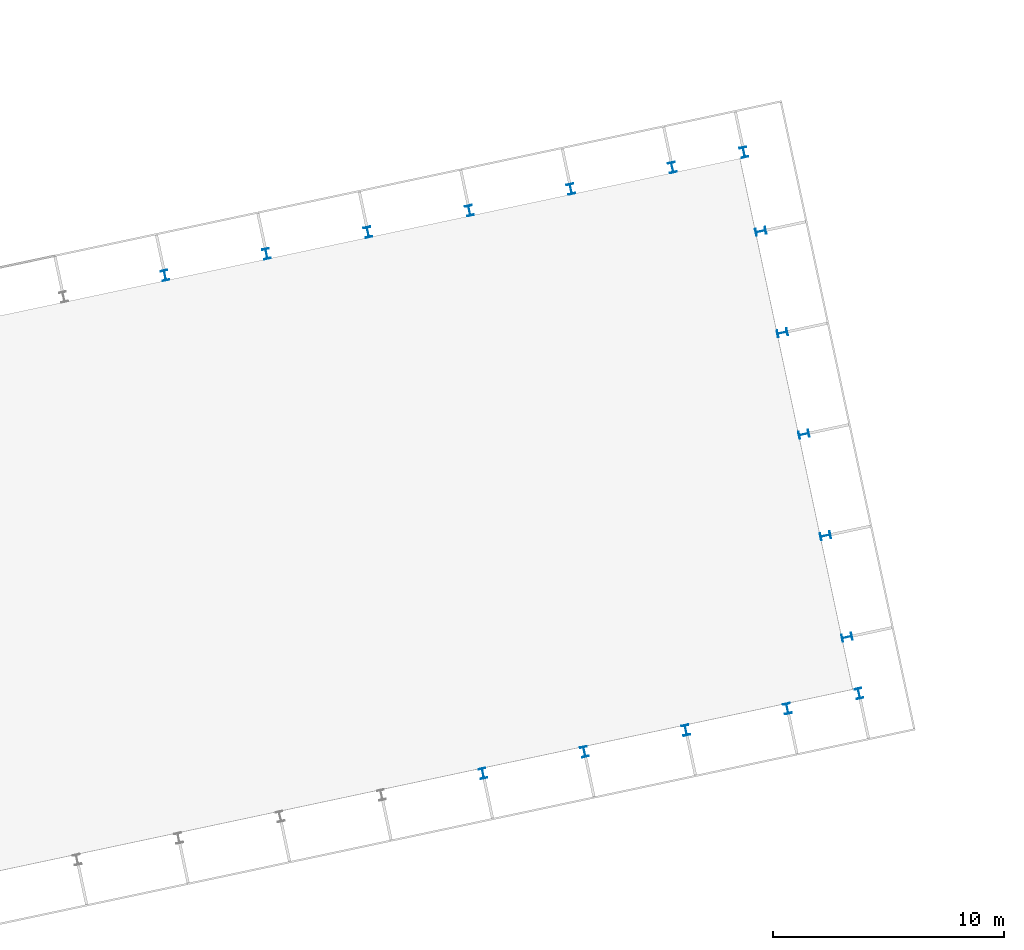
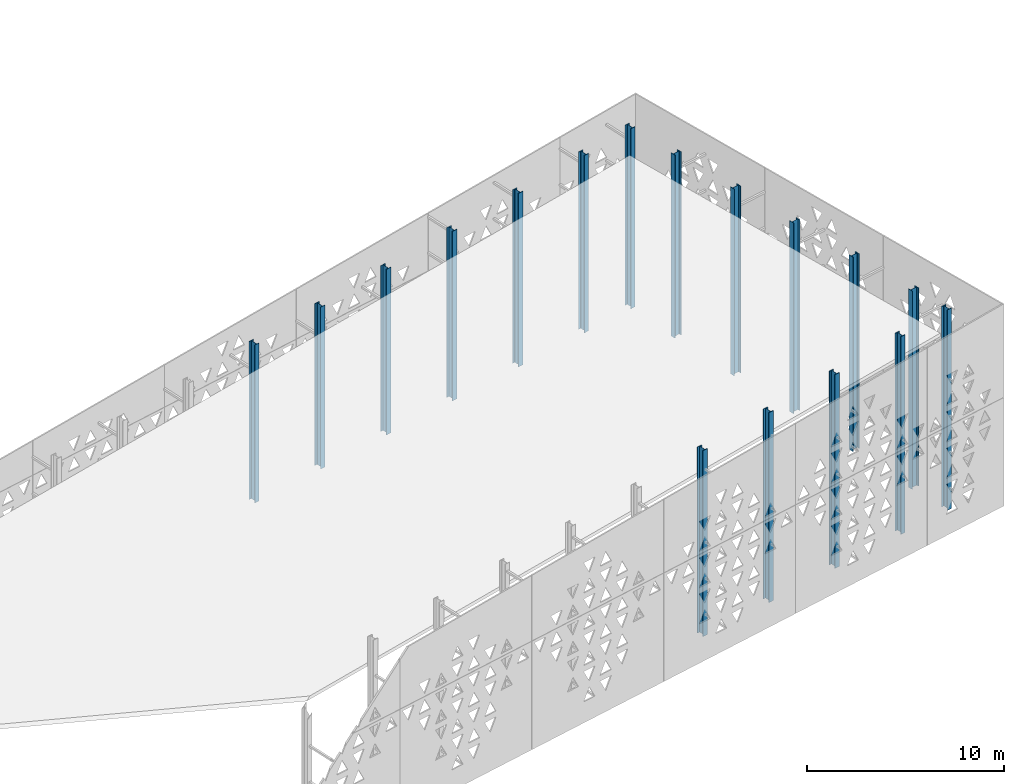
# One storey, part 8 of 41: 17 columns.
"""IFC4 building model written with IfcOpenShell, lengths in metres."""

from ifc_helpers import new_model, si_unit, direction, frame, origin, origin_2d, place, context, subcontext, project, spatial, i_section, extrude, material, material_profile, profile_set, type_object, element, save


model = new_model("IFC4")

# Units and contexts
model_context = context("Model", 3, precision=1e-05, world=origin(), true_north=direction((0.0, 1.0)))
body_context = subcontext(model_context, "Body", "Model", "MODEL_VIEW")
ifc_project = project(units=[si_unit("LENGTHUNIT", "METRE"), si_unit("AREAUNIT", "SQUARE_METRE"), si_unit("VOLUMEUNIT", "CUBIC_METRE"), si_unit("PLANEANGLEUNIT", "RADIAN"), si_unit("MASSUNIT", "GRAM", prefix="KILO")], contexts=[model_context])

# Site, building, storey
site_placement = place(None, origin())
site = spatial("IfcSite", under=ifc_project, at=site_placement, CompositionType="ELEMENT")
building_placement = place(site_placement, origin())
building = spatial("IfcBuilding", under=site, at=building_placement, Name="Okhra Congress Centre", CompositionType="ELEMENT")
storey_placement = place(building_placement, frame((0.0, 0.0, 21.60009765625)))
storey = spatial("IfcBuildingStorey", under=building, at=storey_placement, Name="ROOF", CompositionType="ELEMENT", Elevation=21.60009765625)

# Columns
ifc_material = material(Name="Steel S355J2", Category="steel")
ifc_material_profile = material_profile(ifc_material, i_section(OverallWidth=0.300048828125, OverallDepth=0.449951171875, WebThickness=0.013916015625, FlangeThickness=0.02587890625, FilletRadius=0.027099609375, at=origin_2d()), Name="HE 450 B")
ifc_profile_set = profile_set([ifc_material_profile], Name="Steel S355J2")
column_type = type_object("IfcColumnType", Name="Steel post HE 450 B", PredefinedType="COLUMN", material=ifc_profile_set)
column_1_placement = place(storey_placement, frame((201.8642578125, 56.74853515625, 0.0), z_axis=(0.0, 0.0, 1.0), x_axis=(0.978147600734, 0.207911690818, 0.0)))
element("IfcColumn", 1, at=column_1_placement, inside=storey, type_object=column_type, Name="Screen upstand post S33", PredefinedType="COLUMN", context=body_context, shape_type="SweptSolid", body=[
    extrude(i_section(OverallWidth=0.300048828125, OverallDepth=0.449951171875, WebThickness=0.013916015625, FlangeThickness=0.02587890625, FilletRadius=0.027099609375, at=origin_2d()), origin(), (0.0, 0.0, 1.0), 11.524658203125),
])
column_2_placement = place(storey_placement, frame((206.265869140625, 57.68408203125, 0.0), z_axis=(0.0, 0.0, 1.0), x_axis=(0.978147600734, 0.207911690818, 0.0)))
element("IfcColumn", 2, at=column_2_placement, inside=storey, type_object=column_type, Name="Screen upstand post S34", PredefinedType="COLUMN", context=body_context, shape_type="SweptSolid", body=[
    extrude(i_section(OverallWidth=0.300048828125, OverallDepth=0.449951171875, WebThickness=0.013916015625, FlangeThickness=0.02587890625, FilletRadius=0.027099609375, at=origin_2d()), origin(), (0.0, 0.0, 1.0), 11.765380859375),
])
column_3_placement = place(storey_placement, frame((210.66748046875, 58.61962890625, 0.0), z_axis=(0.0, 0.0, 1.0), x_axis=(0.978147600734, 0.207911690818, 0.0)))
element("IfcColumn", 3, at=column_3_placement, inside=storey, type_object=column_type, Name="Screen upstand post S35", PredefinedType="COLUMN", context=body_context, shape_type="SweptSolid", body=[
    extrude(i_section(OverallWidth=0.300048828125, OverallDepth=0.449951171875, WebThickness=0.013916015625, FlangeThickness=0.02587890625, FilletRadius=0.027099609375, at=origin_2d()), origin(), (0.0, 0.0, 1.0), 12.006103515625),
])
column_4_placement = place(storey_placement, frame((215.0693359375, 59.555419921875, 0.0), z_axis=(0.0, 0.0, 1.0), x_axis=(0.978147600734, 0.207911690818, 0.0)))
element("IfcColumn", 4, at=column_4_placement, inside=storey, type_object=column_type, Name="Screen upstand post S36", PredefinedType="COLUMN", context=body_context, shape_type="SweptSolid", body=[
    extrude(i_section(OverallWidth=0.300048828125, OverallDepth=0.449951171875, WebThickness=0.013916015625, FlangeThickness=0.02587890625, FilletRadius=0.027099609375, at=origin_2d()), origin(), (0.0, 0.0, 1.0), 12.246826171875),
])
column_5_placement = place(storey_placement, frame((218.1748046875, 60.21533203125, 0.0), z_axis=(0.0, 0.0, 1.0), x_axis=(0.978147600734, 0.207911690818, 0.0)))
element("IfcColumn", 5, at=column_5_placement, inside=storey, type_object=column_type, Name="Screen upstand post S37", PredefinedType="COLUMN", context=body_context, shape_type="SweptSolid", body=[
    extrude(i_section(OverallWidth=0.300048828125, OverallDepth=0.449951171875, WebThickness=0.013916015625, FlangeThickness=0.02587890625, FilletRadius=0.027099609375, at=origin_2d()), origin(), (0.0, 0.0, 1.0), 12.416748046875),
])
column_6_placement = place(storey_placement, frame((188.071044921875, 78.352783203125, 0.0), z_axis=(0.0, 0.0, 1.0), x_axis=(0.978147600734, 0.207911690818, 0.0)))
element("IfcColumn", 6, at=column_6_placement, inside=storey, type_object=column_type, Name="Screen upstand post N31", PredefinedType="COLUMN", context=body_context, shape_type="SweptSolid", body=[
    extrude(i_section(OverallWidth=0.300048828125, OverallDepth=0.449951171875, WebThickness=0.013916015625, FlangeThickness=0.02587890625, FilletRadius=0.027099609375, at=origin_2d()), origin(), (0.0, 0.0, 1.0), 9.78515625),
])
column_7_placement = place(storey_placement, frame((192.47265625, 79.28857421875, 0.0), z_axis=(0.0, 0.0, 1.0), x_axis=(0.978147600734, 0.207911690818, 0.0)))
element("IfcColumn", 7, at=column_7_placement, inside=storey, type_object=column_type, Name="Screen upstand post N32", PredefinedType="COLUMN", context=body_context, shape_type="SweptSolid", body=[
    extrude(i_section(OverallWidth=0.300048828125, OverallDepth=0.449951171875, WebThickness=0.013916015625, FlangeThickness=0.02587890625, FilletRadius=0.027099609375, at=origin_2d()), origin(), (0.0, 0.0, 1.0), 10.026123046875),
])
column_8_placement = place(storey_placement, frame((196.874267578125, 80.22412109375, 0.0), z_axis=(0.0, 0.0, 1.0), x_axis=(0.978147600734, 0.207911690818, 0.0)))
element("IfcColumn", 8, at=column_8_placement, inside=storey, type_object=column_type, Name="Screen upstand post N33", PredefinedType="COLUMN", context=body_context, shape_type="SweptSolid", body=[
    extrude(i_section(OverallWidth=0.300048828125, OverallDepth=0.449951171875, WebThickness=0.013916015625, FlangeThickness=0.02587890625, FilletRadius=0.027099609375, at=origin_2d()), origin(), (0.0, 0.0, 1.0), 10.266845703125),
])
column_9_placement = place(storey_placement, frame((201.276123046875, 81.15966796875, 0.0), z_axis=(0.0, 0.0, 1.0), x_axis=(0.978147600734, 0.207911690818, 0.0)))
element("IfcColumn", 9, at=column_9_placement, inside=storey, type_object=column_type, Name="Screen upstand post N34", PredefinedType="COLUMN", context=body_context, shape_type="SweptSolid", body=[
    extrude(i_section(OverallWidth=0.300048828125, OverallDepth=0.449951171875, WebThickness=0.013916015625, FlangeThickness=0.02587890625, FilletRadius=0.027099609375, at=origin_2d()), origin(), (0.0, 0.0, 1.0), 10.507568359375),
])
column_10_placement = place(storey_placement, frame((205.677734375, 82.09521484375, 0.0), z_axis=(0.0, 0.0, 1.0), x_axis=(0.978147600734, 0.207911690818, 0.0)))
element("IfcColumn", 10, at=column_10_placement, inside=storey, type_object=column_type, Name="Screen upstand post N35", PredefinedType="COLUMN", context=body_context, shape_type="SweptSolid", body=[
    extrude(i_section(OverallWidth=0.300048828125, OverallDepth=0.449951171875, WebThickness=0.013916015625, FlangeThickness=0.02587890625, FilletRadius=0.027099609375, at=origin_2d()), origin(), (0.0, 0.0, 1.0), 10.748291015625),
])
column_11_placement = place(storey_placement, frame((210.079345703125, 83.03076171875, 0.0), z_axis=(0.0, 0.0, 1.0), x_axis=(0.978147600734, 0.207911690818, 0.0)))
element("IfcColumn", 11, at=column_11_placement, inside=storey, type_object=column_type, Name="Screen upstand post N36", PredefinedType="COLUMN", context=body_context, shape_type="SweptSolid", body=[
    extrude(i_section(OverallWidth=0.300048828125, OverallDepth=0.449951171875, WebThickness=0.013916015625, FlangeThickness=0.02587890625, FilletRadius=0.027099609375, at=origin_2d()), origin(), (0.0, 0.0, 1.0), 10.989013671875),
])
column_12_placement = place(storey_placement, frame((213.18505859375, 83.69091796875, 0.0), z_axis=(0.0, 0.0, 1.0), x_axis=(0.978147600734, 0.207911690818, 0.0)))
element("IfcColumn", 12, at=column_12_placement, inside=storey, type_object=column_type, Name="Screen upstand post N37", PredefinedType="COLUMN", context=body_context, shape_type="SweptSolid", body=[
    extrude(i_section(OverallWidth=0.300048828125, OverallDepth=0.449951171875, WebThickness=0.013916015625, FlangeThickness=0.02587890625, FilletRadius=0.027099609375, at=origin_2d()), origin(), (0.0, 0.0, 1.0), 11.158935546875),
])
column_13_placement = place(storey_placement, frame((217.656005859375, 62.656005859375, 0.0), z_axis=(0.0, 0.0, 1.0), x_axis=(-0.207911690818, 0.978147600734, 0.0)))
element("IfcColumn", 13, at=column_13_placement, inside=storey, type_object=column_type, Name="Screen upstand post E1", PredefinedType="COLUMN", context=body_context, shape_type="SweptSolid", body=[
    extrude(i_section(OverallWidth=0.300048828125, OverallDepth=0.449951171875, WebThickness=0.013916015625, FlangeThickness=0.02587890625, FilletRadius=0.027099609375, at=origin_2d()), origin(), (0.0, 0.0, 1.0), 12.285888671875),
])
column_14_placement = place(storey_placement, frame((216.720458984375, 67.0576171875, 0.0), z_axis=(0.0, 0.0, 1.0), x_axis=(-0.207911690818, 0.978147600734, 0.0)))
element("IfcColumn", 14, at=column_14_placement, inside=storey, type_object=column_type, Name="Screen upstand post E2", PredefinedType="COLUMN", context=body_context, shape_type="SweptSolid", body=[
    extrude(i_section(OverallWidth=0.300048828125, OverallDepth=0.449951171875, WebThickness=0.013916015625, FlangeThickness=0.02587890625, FilletRadius=0.027099609375, at=origin_2d()), origin(), (0.0, 0.0, 1.0), 12.050048828125),
])
column_15_placement = place(storey_placement, frame((215.784912109375, 71.459228515625, 0.0), z_axis=(0.0, 0.0, 1.0), x_axis=(-0.207911690818, 0.978147600734, 0.0)))
element("IfcColumn", 15, at=column_15_placement, inside=storey, type_object=column_type, Name="Screen upstand post E3", PredefinedType="COLUMN", context=body_context, shape_type="SweptSolid", body=[
    extrude(i_section(OverallWidth=0.300048828125, OverallDepth=0.449951171875, WebThickness=0.013916015625, FlangeThickness=0.02587890625, FilletRadius=0.027099609375, at=origin_2d()), origin(), (0.0, 0.0, 1.0), 11.814208984375),
])
column_16_placement = place(storey_placement, frame((214.849365234375, 75.86083984375, 0.0), z_axis=(0.0, 0.0, 1.0), x_axis=(-0.207911690818, 0.978147600734, 0.0)))
element("IfcColumn", 16, at=column_16_placement, inside=storey, type_object=column_type, Name="Screen upstand post E4", PredefinedType="COLUMN", context=body_context, shape_type="SweptSolid", body=[
    extrude(i_section(OverallWidth=0.300048828125, OverallDepth=0.449951171875, WebThickness=0.013916015625, FlangeThickness=0.02587890625, FilletRadius=0.027099609375, at=origin_2d()), origin(), (0.0, 0.0, 1.0), 11.57861328125),
])
column_17_placement = place(storey_placement, frame((213.913818359375, 80.2626953125, 0.0), z_axis=(0.0, 0.0, 1.0), x_axis=(-0.207911690818, 0.978147600734, 0.0)))
element("IfcColumn", 17, at=column_17_placement, inside=storey, type_object=column_type, Name="Screen upstand post E5", PredefinedType="COLUMN", context=body_context, shape_type="SweptSolid", body=[
    extrude(i_section(OverallWidth=0.300048828125, OverallDepth=0.449951171875, WebThickness=0.013916015625, FlangeThickness=0.02587890625, FilletRadius=0.027099609375, at=origin_2d()), origin(), (0.0, 0.0, 1.0), 11.3427734375),
])

save(model, "model.ifc")
